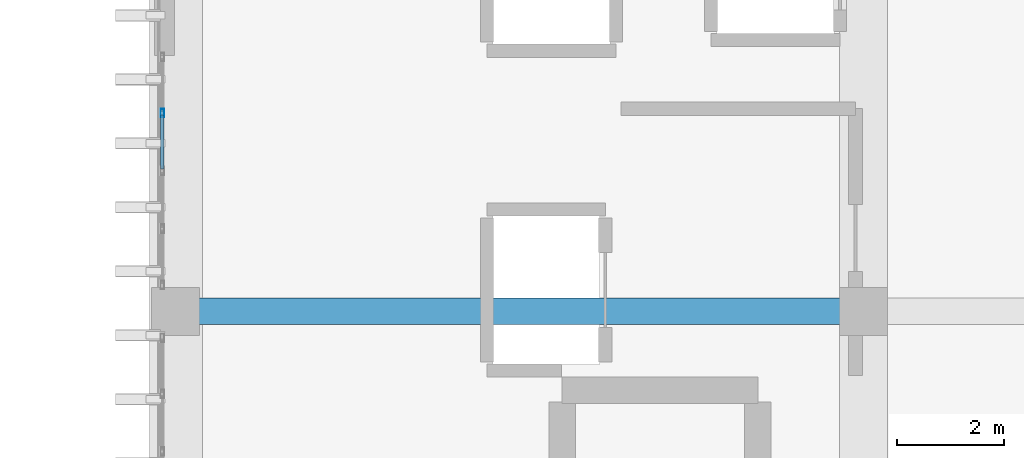
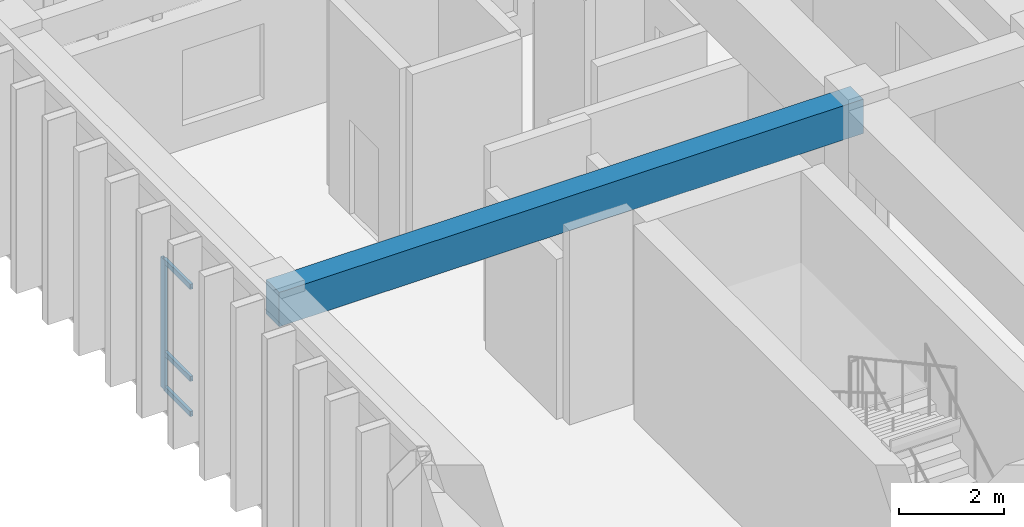
# One storey, part 54 of 101: 4 members, 1 beam, 1 element without a shape of its own.
"""IFC4 building model written with IfcOpenShell, lengths in metres."""

from ifc_helpers import new_model, si_unit, direction, frame, origin, origin_2d, place, context, subcontext, project, spatial, rectangle, hollow_rectangle, extrude, material, layer, layer_set, material_profile, profile_set, type_object, element, aggregate, save


model = new_model("IFC4")

# Units and contexts
model_context = context("Model", 3, precision=1e-05, world=origin(), true_north=direction((0.0, 1.0)))
body_context = subcontext(model_context, "Body", "Model", "MODEL_VIEW")
ifc_project = project(units=[si_unit("LENGTHUNIT", "METRE"), si_unit("AREAUNIT", "SQUARE_METRE"), si_unit("VOLUMEUNIT", "CUBIC_METRE"), si_unit("PLANEANGLEUNIT", "RADIAN"), si_unit("MASSUNIT", "GRAM", prefix="KILO")], contexts=[model_context])

# Site, building, storey
site_placement = place(None, origin())
site = spatial("IfcSite", under=ifc_project, at=site_placement, CompositionType="ELEMENT")
building_placement = place(site_placement, origin())
building = spatial("IfcBuilding", under=site, at=building_placement, Name="Nakhvara Creek Congress Hotel", CompositionType="ELEMENT")
storey_placement = place(building_placement, frame((0.0, 0.0, 16.199951171875)))
storey = spatial("IfcBuildingStorey", under=building, at=storey_placement, Name="L03", CompositionType="ELEMENT", Elevation=16.199951171875)

# Beam
ifc_material_1 = material(Name="Concrete C40/50", Category="concrete")
ifc_material_profile_1 = material_profile(ifc_material_1, rectangle(XDim=0.5, YDim=0.800048828125, at=origin_2d()), Name="RC-BM 500x800", Category="LoadBearing")
ifc_profile_set_1 = profile_set([ifc_material_profile_1], Name="Concrete C40/50")
beam_type = type_object("IfcBeamType", Name="BM-RC-500X800", PredefinedType="BEAM", material=ifc_profile_set_1)
beam_placement = place(storey_placement, frame((149.449951171875, 115.199951171875, 4.14013671875), z_axis=(1.0, 0.0, 0.0), x_axis=(0.0, 1.0, 0.0)))
element("IfcBeam", 1, at=beam_placement, inside=storey, type_object=beam_type, Name="Beam B03-L03-1842", PredefinedType="BEAM", context=body_context, shape_type="SweptSolid", body=[
    extrude(rectangle(XDim=0.5, YDim=0.800048828125, at=origin_2d()), origin(), (0.0, 0.0, 1.0), 12.900146484375),
])

# Curtain wall, members
ifc_material_2 = material(Name="Bronze-anodised aluminium AW-6063-T6 and double-silver low-E glass", Category="aluminium")
ifc_layer = layer(ifc_material_2, 0.199951171875)
ifc_layer_set = layer_set([ifc_layer], Name="Bronze-anodised aluminium AW-6063-T6 and double-silver low-E glass")
curtain_wall_type = type_object("IfcCurtainWallType", Name="CW-HTL-UNIT", PredefinedType="USERDEFINED", material=ifc_layer_set)
curtain_wall_placement = place(storey_placement, origin())
curtain_wall = element("IfcCurtainWall", 2, at=curtain_wall_placement, inside=storey, type_object=curtain_wall_type, Name="Curtain Wall CW170", ObjectType="UNITISED", PredefinedType="USERDEFINED")
ifc_material_3 = material(Name="Bronze-anodised aluminium AW-6063-T6", Category="aluminium")
ifc_material_profile_2 = material_profile(ifc_material_3, hollow_rectangle(XDim=0.06494140625, YDim=0.159912109375, WallThickness=0.00390625, at=origin_2d()), Name="ALU-MULL 65x160x4", Category="LoadBearing")
ifc_profile_set_2 = profile_set([ifc_material_profile_2], Name="Bronze-anodised aluminium AW-6063-T6")
member_type_1 = type_object("IfcMemberType", Name="CW-MULL-160", PredefinedType="MULLION", material=ifc_profile_set_2)
member_1_placement = place(storey_placement, frame((149.199951171875, 118.916259765625, 0.0), z_axis=(0.0, 0.0, 1.0), x_axis=(-1.0, 0.0, 0.0)))
member_1 = element("IfcMember", 3, at=member_1_placement, type_object=member_type_1, Name="CW170 mullion 4", PredefinedType="MULLION", context=body_context, shape_type="SweptSolid", body=[
    extrude(hollow_rectangle(XDim=0.06494140625, YDim=0.159912109375, WallThickness=0.00390625, at=origin_2d()), origin(), (0.0, 0.0, 1.0), 3.031982421875),
])
ifc_material_profile_3 = material_profile(ifc_material_3, hollow_rectangle(XDim=0.06494140625, YDim=0.1201171875, WallThickness=0.00390625, at=origin_2d()), Name="ALU-TRAN 65x120x4", Category="LoadBearing")
ifc_profile_set_3 = profile_set([ifc_material_profile_3], Name="Bronze-anodised aluminium AW-6063-T6")
member_type_2 = type_object("IfcMemberType", Name="CW-TRAN-120", PredefinedType="USERDEFINED", material=ifc_profile_set_3)
member_2_placement = place(storey_placement, frame((149.199951171875, 117.864990234375, 0.032470703125), z_axis=(0.0, 1.0, 0.0), x_axis=(-1.0, 0.0, 0.0)))
member_2 = element("IfcMember", 4, at=member_2_placement, type_object=member_type_2, Name="CW170 transom 3.1", ObjectType="TRANSOM", PredefinedType="USERDEFINED", context=body_context, shape_type="SweptSolid", body=[
    extrude(hollow_rectangle(XDim=0.06494140625, YDim=0.1201171875, WallThickness=0.00390625, at=origin_2d()), origin(), (0.0, 0.0, 1.0), 1.018798828125),
])
member_3_placement = place(storey_placement, frame((149.199951171875, 117.864990234375, 0.85009765625), z_axis=(0.0, 1.0, 0.0), x_axis=(-1.0, 0.0, 0.0)))
member_3 = element("IfcMember", 5, at=member_3_placement, type_object=member_type_2, Name="CW170 transom 3.2", ObjectType="TRANSOM", PredefinedType="USERDEFINED", context=body_context, shape_type="SweptSolid", body=[
    extrude(hollow_rectangle(XDim=0.06494140625, YDim=0.1201171875, WallThickness=0.00390625, at=origin_2d()), origin(), (0.0, 0.0, 1.0), 1.018798828125),
])
member_4_placement = place(storey_placement, frame((149.199951171875, 117.864990234375, 2.99951171875), z_axis=(0.0, 1.0, 0.0), x_axis=(-1.0, 0.0, 0.0)))
member_4 = element("IfcMember", 6, at=member_4_placement, type_object=member_type_2, Name="CW170 transom 3.3", ObjectType="TRANSOM", PredefinedType="USERDEFINED", context=body_context, shape_type="SweptSolid", body=[
    extrude(hollow_rectangle(XDim=0.06494140625, YDim=0.1201171875, WallThickness=0.00390625, at=origin_2d()), origin(), (0.0, 0.0, 1.0), 1.018798828125),
])
aggregate(curtain_wall, [member_1, member_2, member_3, member_4])

save(model, "model.ifc")
